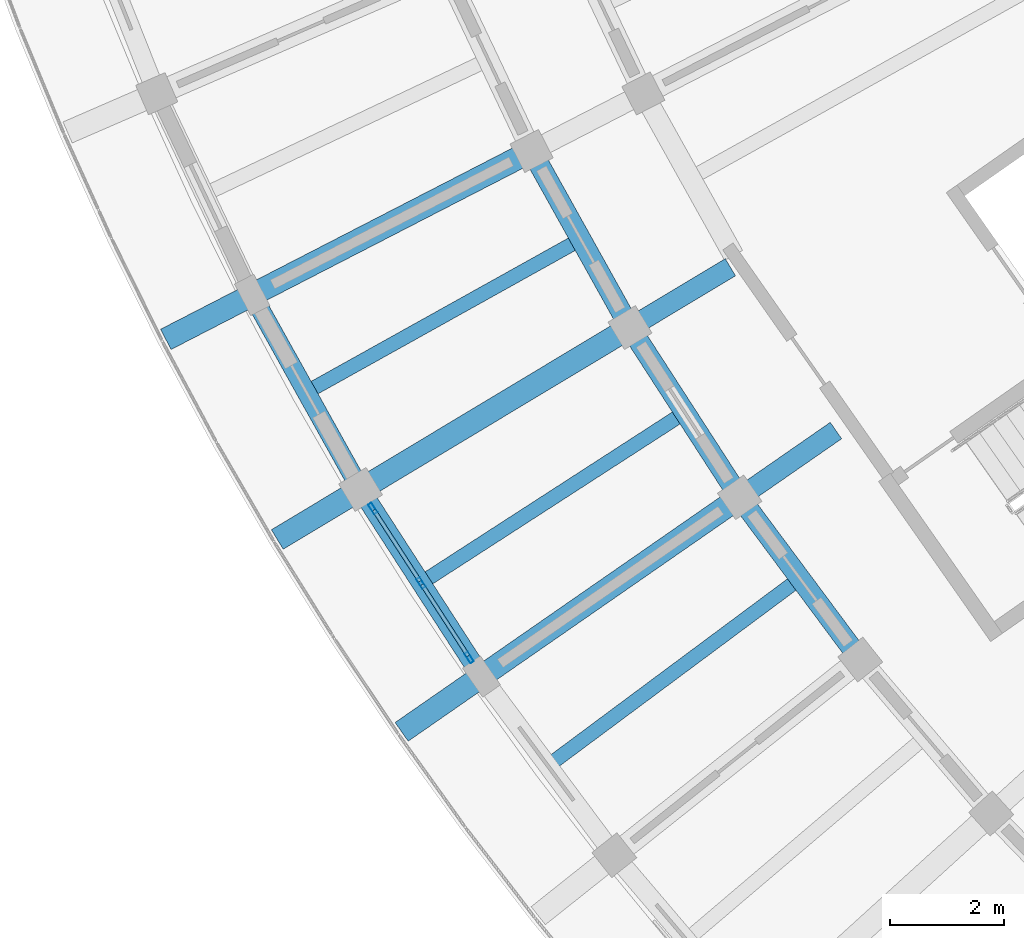
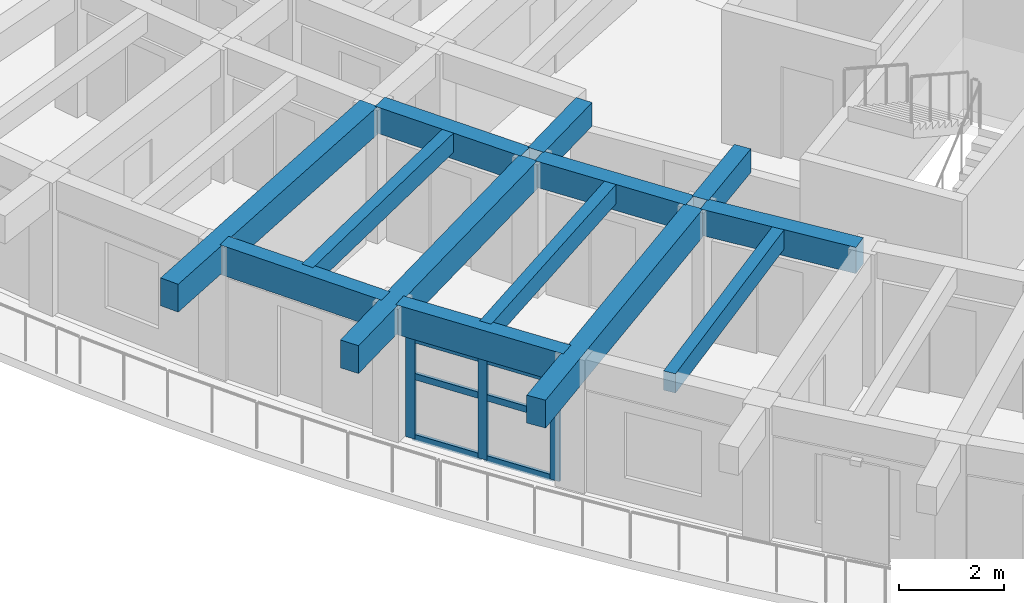
# One storey, part 5 of 78: 13 beams, 9 members, 1 element without a shape of its own.
"""IFC4 building model written with IfcOpenShell, lengths in metres."""

from ifc_helpers import new_model, si_unit, direction, frame, origin, origin_2d, place, context, subcontext, project, spatial, rectangle, hollow_rectangle, extrude, material, material_profile, profile_set, type_object, element, aggregate, save


model = new_model("IFC4")

# Units and contexts
model_context = context("Model", 3, precision=1e-05, world=origin(), true_north=direction((0.0, 1.0)))
body_context = subcontext(model_context, "Body", "Model", "MODEL_VIEW")
ifc_project = project(units=[si_unit("LENGTHUNIT", "METRE"), si_unit("AREAUNIT", "SQUARE_METRE"), si_unit("VOLUMEUNIT", "CUBIC_METRE"), si_unit("PLANEANGLEUNIT", "RADIAN"), si_unit("MASSUNIT", "GRAM", prefix="KILO")], contexts=[model_context])

# Site, building, storey
site_placement = place(None, origin())
site = spatial("IfcSite", under=ifc_project, at=site_placement, CompositionType="ELEMENT")
building_placement = place(site_placement, origin())
building = spatial("IfcBuilding", under=site, at=building_placement, Name="Tanwirah Colonnade Gardens", CompositionType="ELEMENT")
storey_placement = place(building_placement, frame((0.0, 0.0, 22.280029296875)))
storey = spatial("IfcBuildingStorey", under=building, at=storey_placement, Name="L06", CompositionType="ELEMENT", Elevation=22.280029296875)

# Beams
ifc_material_1 = material(Name="Precast concrete C40/50", Category="concrete")
ifc_material_profile_1 = material_profile(ifc_material_1, rectangle(XDim=0.360107421875, YDim=0.610107421875, at=origin_2d()), Name="PC-BM 360x610")
ifc_profile_set_1 = profile_set([ifc_material_profile_1], Name="Precast concrete C40/50")
beam_type_1 = type_object("IfcBeamType", Name="BM-PC300", PredefinedType="BEAM", material=ifc_profile_set_1)
for number, where, z_axis, x_axis, name in (
    (1, (17.021728515625, 39.620849609375, 2.804931640625), (0.486712025227, -0.873562478875, 0.0), (0.873562478875, 0.486712025227, 0.0), "Block C L06 Circumferential Beam 3-R2"),
    (2, (18.75146484375, 36.5361328125, 2.804931640625), (0.542825891173, -0.839845254718, 0.0), (0.839845254718, 0.542825891173, 0.0), "Block C L06 Circumferential Beam 4-R2"),
):
    element("IfcBeam", number, at=place(storey_placement, frame(where, z_axis=z_axis, x_axis=x_axis)), inside=storey, type_object=beam_type_1, Name=name, PredefinedType="BEAM", context=body_context, shape_type="SweptSolid", body=[
        extrude(rectangle(XDim=0.360107421875, YDim=0.610107421875, at=origin_2d()), origin(), (0.0, 0.0, 1.0), 3.23681640625),
    ])
beam_1_placement = place(storey_placement, frame((20.679443359375, 33.5712890625, 2.804931640625), z_axis=(0.596579473879, -0.802554005252, 0.0), x_axis=(0.802554005252, 0.596579473879, 0.0)))
element("IfcBeam", 3, at=beam_1_placement, inside=storey, type_object=beam_type_1, Name="Block C L06 Circumferential Beam 5-R2", PredefinedType="BEAM", context=body_context, shape_type="SweptSolid", body=[
    extrude(rectangle(XDim=0.360107421875, YDim=0.610107421875, at=origin_2d()), origin(), (0.0, 0.0, 1.0), 3.237060546875),
])
ifc_material_profile_2 = material_profile(ifc_material_1, rectangle(XDim=0.35009765625, YDim=0.550048828125, at=origin_2d()), Name="PC-BM 350x550")
ifc_profile_set_2 = profile_set([ifc_material_profile_2], Name="Precast concrete C40/50")
beam_type_2 = type_object("IfcBeamType", Name="BM-PC350A", PredefinedType="BEAM", material=ifc_profile_set_2)
beam_2_placement = place(storey_placement, frame((20.42724609375, 37.718017578125, 2.8349609375), z_axis=(-0.857186654737, -0.515005863017, 0.0), x_axis=(0.515005863017, -0.857186654737, 0.0)))
element("IfcBeam", 4, at=beam_2_placement, inside=storey, type_object=beam_type_2, Name="Block C L06 Corridor Tie Beam 4", PredefinedType="BEAM", context=body_context, shape_type="SweptSolid", body=[
    extrude(rectangle(XDim=0.35009765625, YDim=0.550048828125, at=origin_2d()), origin(), (0.0, 0.0, 1.0), 1.89990234375),
])
beam_3_placement = place(storey_placement, frame((22.2744140625, 34.860107421875, 2.8349609375), z_axis=(-0.821669163201, -0.569964723684, 0.0), x_axis=(0.569964723684, -0.821669163201, 0.0)))
element("IfcBeam", 5, at=beam_3_placement, inside=storey, type_object=beam_type_2, Name="Block C L06 Corridor Tie Beam 5", PredefinedType="BEAM", context=body_context, shape_type="SweptSolid", body=[
    extrude(rectangle(XDim=0.35009765625, YDim=0.550048828125, at=origin_2d()), origin(), (0.0, 0.0, 1.0), 1.900146484375),
])
ifc_material_2 = material(Name="Precast concrete C45/55", Category="concrete")
ifc_material_profile_3 = material_profile(ifc_material_2, rectangle(XDim=0.39990234375, YDim=0.64990234375, at=origin_2d()), Name="PC-BM 400x650")
ifc_profile_set_3 = profile_set([ifc_material_profile_3], Name="Precast concrete C45/55")
beam_type_3 = type_object("IfcBeamType", Name="BM-PC400", PredefinedType="BEAM", material=ifc_profile_set_3)
for number, where, z_axis, x_axis, name in (
    (6, (16.815185546875, 39.683349609375, 2.784912109375), (-0.889016420099, -0.457875315774, 0.0), (0.457875315774, -0.889016420099, 0.0), "Block C L06 Outer Radial Precast Girder 3"),
    (7, (18.54150390625, 36.5849609375, 2.784912109375), (-0.857159687729, -0.515050744812, 0.0), (0.515050744812, -0.857159687729, 0.0), "Block C L06 Outer Radial Precast Girder 4"),
    (8, (20.466796875, 33.606201171875, 2.784912109375), (-0.821647028495, -0.569996632066, 0.0), (0.569996632066, -0.821647028495, 0.0), "Block C L06 Outer Radial Precast Girder 5"),
):
    element("IfcBeam", number, at=place(storey_placement, frame(where, z_axis=z_axis, x_axis=x_axis)), inside=storey, type_object=beam_type_3, Name=name, PredefinedType="BEAM", context=body_context, shape_type="SweptSolid", body=[
        extrude(rectangle(XDim=0.39990234375, YDim=0.64990234375, at=origin_2d()), origin(), (0.0, 0.0, 1.0), 7.050048828125),
    ])

# Curtain wall, members
ifc_material_3 = material(Name="Bronze-anodised aluminium and solar-control low-E glass", Category="aluminium")
curtain_wall_type = type_object("IfcCurtainWallType", Name="CW-LOB", PredefinedType="NOTDEFINED", material=ifc_material_3)
curtain_wall_placement = place(storey_placement, origin())
curtain_wall = element("IfcCurtainWall", 9, at=curtain_wall_placement, inside=storey, type_object=curtain_wall_type, Name="Curtain Wall CW-C-L06-OUT-04", PredefinedType="NOTDEFINED")
ifc_material_4 = material(Name="Bronze-anodised aluminium", Category="aluminium")
ifc_material_profile_4 = material_profile(ifc_material_4, hollow_rectangle(XDim=0.070068359375, YDim=0.199951171875, WallThickness=0.00390625, at=origin_2d()), Name="CW-MUL 70x200x4")
ifc_profile_set_4 = profile_set([ifc_material_profile_4], Name="Bronze-anodised aluminium")
member_type_1 = type_object("IfcMemberType", Name="CWM-70x200", PredefinedType="MULLION", material=ifc_profile_set_4)
member_1_placement = place(storey_placement, frame((14.170166015625, 33.497802734375, 0.0), z_axis=(0.0, 0.0, 1.0), x_axis=(0.839857348052, 0.542807180243, 0.0)))
member_1 = element("IfcMember", 10, at=member_1_placement, type_object=member_type_1, Name="CW-LOB mullion 1", PredefinedType="MULLION", context=body_context, shape_type="SweptSolid", body=[
    extrude(hollow_rectangle(XDim=0.070068359375, YDim=0.199951171875, WallThickness=0.00390625, at=origin_2d()), origin(), (0.0, 0.0, 1.0), 2.35498046875),
])
member_2_placement = place(storey_placement, frame((15.01318359375, 32.193115234375, 0.0), z_axis=(0.0, 0.0, 1.0), x_axis=(0.839857348052, 0.542807180243, 0.0)))
member_2 = element("IfcMember", 11, at=member_2_placement, type_object=member_type_1, Name="CW-LOB mullion 2", PredefinedType="MULLION", context=body_context, shape_type="SweptSolid", body=[
    extrude(hollow_rectangle(XDim=0.070068359375, YDim=0.199951171875, WallThickness=0.00390625, at=origin_2d()), origin(), (0.0, 0.0, 1.0), 2.35498046875),
])
member_3_placement = place(storey_placement, frame((15.8564453125, 30.888427734375, 0.0), z_axis=(0.0, 0.0, 1.0), x_axis=(0.839857348052, 0.542807180243, 0.0)))
member_3 = element("IfcMember", 12, at=member_3_placement, type_object=member_type_1, Name="CW-LOB mullion 3", PredefinedType="MULLION", context=body_context, shape_type="SweptSolid", body=[
    extrude(hollow_rectangle(XDim=0.070068359375, YDim=0.199951171875, WallThickness=0.00390625, at=origin_2d()), origin(), (0.0, 0.0, 1.0), 2.35498046875),
])
ifc_material_profile_5 = material_profile(ifc_material_4, hollow_rectangle(XDim=0.070068359375, YDim=0.14990234375, WallThickness=0.00390625, at=origin_2d()), Name="CW-TRN 70x150x4")
ifc_profile_set_5 = profile_set([ifc_material_profile_5], Name="Bronze-anodised aluminium")
member_type_2 = type_object("IfcMemberType", Name="CWT-70x150", PredefinedType="USERDEFINED", material=ifc_profile_set_5)
member_4_placement = place(storey_placement, frame((14.189208984375, 33.46826171875, 0.034912109375), z_axis=(0.542793978634, -0.839865880221, 0.0), x_axis=(0.839865880221, 0.542793978634, 0.0)))
member_4 = element("IfcMember", 13, at=member_4_placement, type_object=member_type_2, Name="CW-LOB transom 1.1", ObjectType="TRANSOM", PredefinedType="USERDEFINED", context=body_context, shape_type="SweptSolid", body=[
    extrude(hollow_rectangle(XDim=0.070068359375, YDim=0.14990234375, WallThickness=0.00390625, at=origin_2d()), origin(), (0.0, 0.0, 1.0), 1.4833984375),
])
member_5_placement = place(storey_placement, frame((14.189208984375, 33.46826171875, 1.4599609375), z_axis=(0.542793978634, -0.839865880221, 0.0), x_axis=(0.839865880221, 0.542793978634, 0.0)))
member_5 = element("IfcMember", 14, at=member_5_placement, type_object=member_type_2, Name="CW-LOB transom 1.2", ObjectType="TRANSOM", PredefinedType="USERDEFINED", context=body_context, shape_type="SweptSolid", body=[
    extrude(hollow_rectangle(XDim=0.070068359375, YDim=0.14990234375, WallThickness=0.00390625, at=origin_2d()), origin(), (0.0, 0.0, 1.0), 1.4833984375),
])
member_6_placement = place(storey_placement, frame((14.189208984375, 33.46826171875, 2.320068359375), z_axis=(0.542793978634, -0.839865880221, 0.0), x_axis=(0.839865880221, 0.542793978634, 0.0)))
member_6 = element("IfcMember", 15, at=member_6_placement, type_object=member_type_2, Name="CW-LOB transom 1.3", ObjectType="TRANSOM", PredefinedType="USERDEFINED", context=body_context, shape_type="SweptSolid", body=[
    extrude(hollow_rectangle(XDim=0.070068359375, YDim=0.14990234375, WallThickness=0.00390625, at=origin_2d()), origin(), (0.0, 0.0, 1.0), 1.4833984375),
])
member_7_placement = place(storey_placement, frame((15.0322265625, 32.16357421875, 0.034912109375), z_axis=(0.542793978634, -0.839865880221, 0.0), x_axis=(0.839865880221, 0.542793978634, 0.0)))
member_7 = element("IfcMember", 16, at=member_7_placement, type_object=member_type_2, Name="CW-LOB transom 2.1", ObjectType="TRANSOM", PredefinedType="USERDEFINED", context=body_context, shape_type="SweptSolid", body=[
    extrude(hollow_rectangle(XDim=0.070068359375, YDim=0.14990234375, WallThickness=0.00390625, at=origin_2d()), origin(), (0.0, 0.0, 1.0), 1.4833984375),
])
member_8_placement = place(storey_placement, frame((15.0322265625, 32.16357421875, 1.4599609375), z_axis=(0.542793978634, -0.839865880221, 0.0), x_axis=(0.839865880221, 0.542793978634, 0.0)))
member_8 = element("IfcMember", 17, at=member_8_placement, type_object=member_type_2, Name="CW-LOB transom 2.2", ObjectType="TRANSOM", PredefinedType="USERDEFINED", context=body_context, shape_type="SweptSolid", body=[
    extrude(hollow_rectangle(XDim=0.070068359375, YDim=0.14990234375, WallThickness=0.00390625, at=origin_2d()), origin(), (0.0, 0.0, 1.0), 1.4833984375),
])
member_9_placement = place(storey_placement, frame((15.0322265625, 32.16357421875, 2.320068359375), z_axis=(0.542793978634, -0.839865880221, 0.0), x_axis=(0.839865880221, 0.542793978634, 0.0)))
member_9 = element("IfcMember", 18, at=member_9_placement, type_object=member_type_2, Name="CW-LOB transom 2.3", ObjectType="TRANSOM", PredefinedType="USERDEFINED", context=body_context, shape_type="SweptSolid", body=[
    extrude(hollow_rectangle(XDim=0.070068359375, YDim=0.14990234375, WallThickness=0.00390625, at=origin_2d()), origin(), (0.0, 0.0, 1.0), 1.4833984375),
])
aggregate(curtain_wall, [member_1, member_2, member_3, member_4, member_5, member_6, member_7, member_8, member_9])

# Beams
ifc_material_profile_6 = material_profile(ifc_material_1, rectangle(XDim=0.25, YDim=0.449951171875, at=origin_2d()), Name="PC-JST 250x450")
ifc_profile_set_6 = profile_set([ifc_material_profile_6], Name="Precast concrete C40/50")
beam_type_4 = type_object("IfcBeamType", Name="JST-PC250", PredefinedType="JOIST", material=ifc_profile_set_6)
for number, where, z_axis, x_axis, name in (
    (19, (17.67919921875, 38.134521484375, 2.885009765625), (-0.87356769437, -0.486702664214, 0.0), (0.486702664214, -0.87356769437, 0.0), "Block C L06 Precast Floor Joist 3"),
    (20, (19.5048828125, 35.09619140625, 2.885009765625), (-0.839842770955, -0.542829733963, 0.0), (0.542829733963, -0.839842770955, 0.0), "Block C L06 Precast Floor Joist 4"),
    (21, (21.525390625, 32.18359375, 2.885009765625), (-0.802560347737, -0.596570941499, 0.0), (0.596570941499, -0.802560347737, 0.0), "Block C L06 Precast Floor Joist 5"),
):
    element("IfcBeam", number, at=place(storey_placement, frame(where, z_axis=z_axis, x_axis=x_axis)), inside=storey, type_object=beam_type_4, Name=name, PredefinedType="JOIST", context=body_context, shape_type="SweptSolid", body=[
        extrude(rectangle(XDim=0.25, YDim=0.449951171875, at=origin_2d()), origin(), (0.0, 0.0, 1.0), 5.260009765625),
    ])
ifc_material_profile_7 = material_profile(ifc_material_1, rectangle(XDim=0.330078125, YDim=0.68994140625, at=origin_2d()), Name="PC-SP 330x690")
ifc_profile_set_7 = profile_set([ifc_material_profile_7], Name="Precast concrete C40/50")
beam_type_5 = type_object("IfcBeamType", Name="SP-PC280", PredefinedType="SPANDREL", material=ifc_profile_set_7)
beam_4_placement = place(storey_placement, frame((12.132080078125, 37.1025390625, 2.764892578125), z_axis=(0.486679958674, -0.87358034423, 0.0), x_axis=(0.87358034423, 0.486679958674, 0.0)))
element("IfcBeam", 22, at=beam_4_placement, inside=storey, type_object=beam_type_5, Name="Block C L06 Circumferential Beam 3-R3", PredefinedType="SPANDREL", context=body_context, shape_type="SweptSolid", body=[
    extrude(rectangle(XDim=0.330078125, YDim=0.68994140625, at=origin_2d()), origin(), (0.0, 0.0, 1.0), 3.5966796875),
])
beam_5_placement = place(storey_placement, frame((14.037109375, 33.70361328125, 2.764892578125), z_axis=(0.542786838894, -0.839870494495, 0.0), x_axis=(0.839870494495, 0.542786838894, 0.0)))
element("IfcBeam", 23, at=beam_5_placement, inside=storey, type_object=beam_type_5, Name="Block C L06 Circumferential Beam 4-R3", PredefinedType="SPANDREL", context=body_context, shape_type="SweptSolid", body=[
    extrude(rectangle(XDim=0.330078125, YDim=0.68994140625, at=origin_2d()), origin(), (0.0, 0.0, 1.0), 3.596923828125),
])

save(model, "model.ifc")
